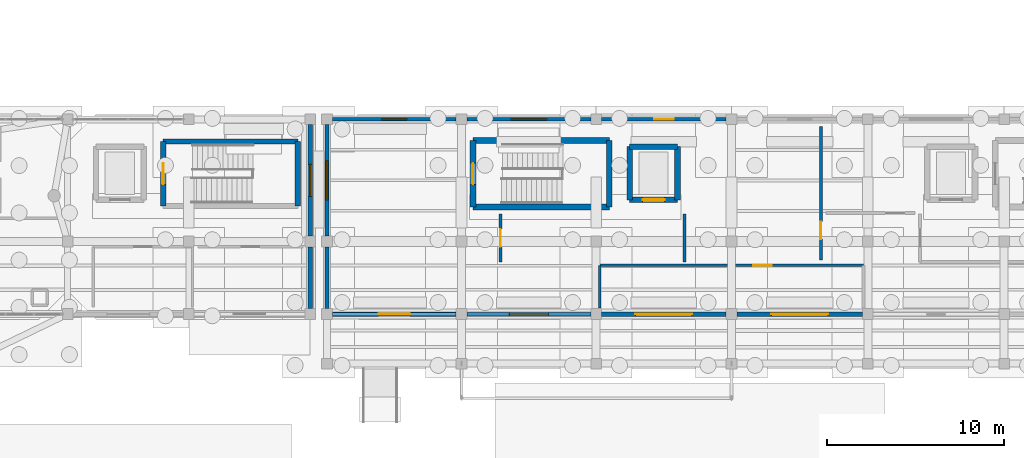
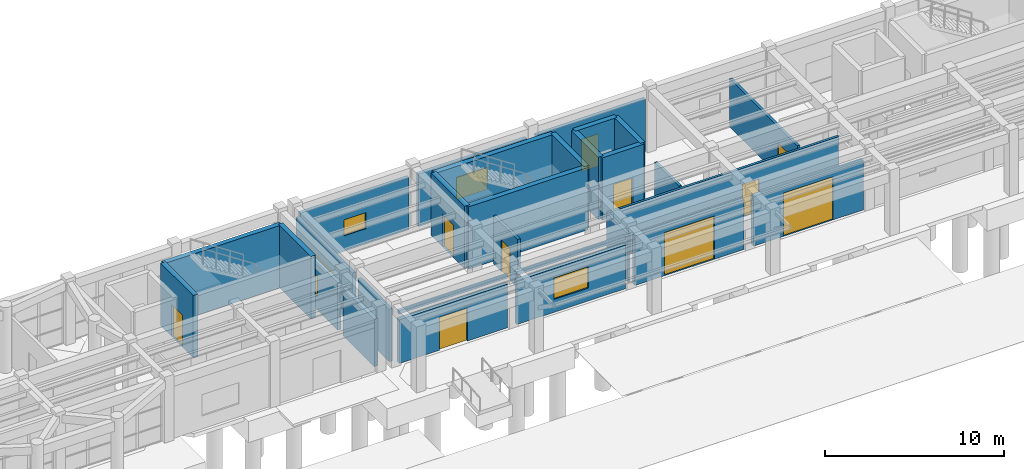
# One storey, part 30 of 41: 29 walls, 10 doors, 5 windows, 15 openings.
"""IFC4 building model written with IfcOpenShell, lengths in metres."""

from ifc_helpers import new_model, si_unit, direction, frame, frame_2d, origin, place, context, subcontext, project, spatial, rectangle, extrude, material, layer, layer_set, type_object, element, fill, save


model = new_model("IFC4")

# Units and contexts
model_context = context("Model", 3, precision=1e-05, world=origin(), true_north=direction((0.0, 1.0)))
body_context = subcontext(model_context, "Body", "Model", "MODEL_VIEW")
ifc_project = project(units=[si_unit("LENGTHUNIT", "METRE"), si_unit("AREAUNIT", "SQUARE_METRE"), si_unit("VOLUMEUNIT", "CUBIC_METRE"), si_unit("PLANEANGLEUNIT", "RADIAN"), si_unit("MASSUNIT", "GRAM", prefix="KILO")], contexts=[model_context])

# Site, building, storey
site_placement = place(None, origin())
site = spatial("IfcSite", under=ifc_project, at=site_placement, CompositionType="ELEMENT")
building_placement = place(site_placement, origin())
building = spatial("IfcBuilding", under=site, at=building_placement, Name="Candilejo Ridge Gondola Terminal", CompositionType="ELEMENT")
storey_placement = place(building_placement, origin())
storey = spatial("IfcBuildingStorey", under=building, at=storey_placement, Name="L00", CompositionType="ELEMENT", Elevation=0.0)

# Walls
ifc_material_1 = material(Name="Concrete C20/25 masonry blockwork (f'm 14 MPa)", Category="masonry")
ifc_layer_1 = layer(ifc_material_1, 0.195068359375)
ifc_layer_set_1 = layer_set([ifc_layer_1], Name="ARC-EXT-WALL-195")
wall_type_1 = type_object("IfcWallType", Name="ARC-EXT-WALL-195", PredefinedType="STANDARD", material=ifc_layer_set_1)
for number, where, z_axis, x_axis, name in (
    (1, (94.300048828125, 25.699951171875, 3.35009765625), (0.0, 0.0, 1.0), (-1.0, 0.0, 0.0), "Upper lintel spandrel wall V3 L00-051"),
    (2, (101.89990234375, 25.699951171875, 3.35009765625), (0.0, 0.0, 1.0), (-1.0, 0.0, 0.0), "Upper lintel spandrel wall V3 L00-055"),
):
    element("IfcWall", number, at=place(storey_placement, frame(where, z_axis=z_axis, x_axis=x_axis)), inside=storey, type_object=wall_type_1, Name=name, PredefinedType="STANDARD", context=body_context, shape_type="SweptSolid", body=[
        extrude(rectangle(XDim=7.0, YDim=0.195068359375, at=frame_2d((3.5, 0.0))), origin(), (0.0, 0.0, 1.0), 0.22998046875),
    ])

# Wall, opening, window
ifc_material_2 = material(Name="Concrete C20/25 masonry blockwork (f'm 14 MPa)", Category="masonry")
ifc_layer_2 = layer(ifc_material_2, 0.219970703125)
ifc_layer_set_2 = layer_set([ifc_layer_2], Name="ARC-EXT-WALL-220")
wall_type_2 = type_object("IfcWallType", Name="ARC-EXT-WALL-220", PredefinedType="STANDARD", material=ifc_layer_set_2)
wall_1_placement = place(storey_placement, frame((87.300048828125, 36.699951171875, 0.0), z_axis=(0.0, 0.0, 1.0), x_axis=(1.0, 0.0, 0.0)))
wall_1 = element("IfcWall", 3, at=wall_1_placement, inside=storey, type_object=wall_type_2, Name="Exterior facade wall EW-V3-L00-052", PredefinedType="STANDARD", context=body_context, shape_type="SweptSolid", body=[
    extrude(rectangle(XDim=7.0, YDim=0.219970703125, at=frame_2d((3.5, 0.0))), origin(), (0.0, 0.0, 1.0), 3.580078125),
])
opening_1_placement = place(wall_1_placement, frame((2.800048828125, 0.0, 1.050048828125)))
opening_1 = element("IfcOpeningElement", 4, at=opening_1_placement, cuts=wall_1, Name="Opening WN-05E", PredefinedType="OPENING", context=body_context, shape_type="SweptSolid", body=[
    extrude(rectangle(XDim=1.39990234375, YDim=1.10009765625, at=frame_2d((0.699951171875, 0.550048828125))), frame((0.0, 0.119873046875, 0.0), z_axis=(0.0, -1.0, 0.0), x_axis=(1.0, 0.0, 0.0)), (0.0, 0.0, 1.0), 0.239990234375),
])
ifc_material_3 = material(Name="Low-E laminated double glazing 6+12A+6+1.52PVB+6 mm", Category="glass")
window_type_1 = type_object("IfcWindowType", Name="ARC-WIN-1400X1100", PartitioningType="SINGLE_PANEL", PredefinedType="WINDOW", material=ifc_material_3)
window_1_placement = place(opening_1_placement, origin())
window_1 = element("IfcWindow", 5, at=window_1_placement, inside=storey, type_object=window_type_1, Name="Window WIN-023", OverallHeight=1.10009765625, OverallWidth=1.39990234375, PartitioningType="SINGLE_PANEL", PredefinedType="WINDOW", context=body_context, shape_type="SweptSolid", body=[
    extrude(rectangle(XDim=1.39990234375, YDim=1.10009765625, at=frame_2d((0.699951171875, 0.550048828125))), frame((0.0, 0.030029296875, 0.0), z_axis=(0.0, -1.0, 0.0), x_axis=(1.0, 0.0, 0.0)), (0.0, 0.0, 1.0), 0.06005859375),
])
fill(opening_1, window_1)

wall_2_placement = place(storey_placement, frame((94.89990234375, 36.699951171875, 0.0), z_axis=(0.0, 0.0, 1.0), x_axis=(1.0, 0.0, 0.0)))
wall_2 = element("IfcWall", 6, at=wall_2_placement, inside=storey, type_object=wall_type_2, Name="Exterior facade wall EW-V3-L00-056", PredefinedType="STANDARD", context=body_context, shape_type="SweptSolid", body=[
    extrude(rectangle(XDim=7.0, YDim=0.219970703125, at=frame_2d((3.5, 0.0))), origin(), (0.0, 0.0, 1.0), 3.580078125),
])
opening_2_placement = place(wall_2_placement, frame((2.5, 0.0, 0.919921875)))
opening_2 = element("IfcOpeningElement", 7, at=opening_2_placement, cuts=wall_2, Name="Opening WN-01C", PredefinedType="OPENING", context=body_context, shape_type="SweptSolid", body=[
    extrude(rectangle(XDim=2.0, YDim=1.5, at=frame_2d((1.0, 0.75))), frame((0.0, 0.119873046875, 0.0), z_axis=(0.0, -1.0, 0.0), x_axis=(1.0, 0.0, 0.0)), (0.0, 0.0, 1.0), 0.239990234375),
])
ifc_material_4 = material(Name="Low-E laminated double glazing 6+12A+6+1.52PVB+6 mm", Category="glass")
window_type_2 = type_object("IfcWindowType", Name="ARC-WIN-2000X1500", PartitioningType="SINGLE_PANEL", PredefinedType="WINDOW", material=ifc_material_4)
window_2_placement = place(opening_2_placement, origin())
window_2 = element("IfcWindow", 8, at=window_2_placement, inside=storey, type_object=window_type_2, Name="Window WIN-026", OverallHeight=1.5, OverallWidth=2.0, PartitioningType="SINGLE_PANEL", PredefinedType="WINDOW", context=body_context, shape_type="SweptSolid", body=[
    extrude(rectangle(XDim=2.0, YDim=1.5, at=frame_2d((1.0, 0.75))), frame((0.0, 0.030029296875, 0.0), z_axis=(0.0, -1.0, 0.0), x_axis=(1.0, 0.0, 0.0)), (0.0, 0.0, 1.0), 0.06005859375),
])
fill(opening_2, window_2)

# Wall, opening, door
wall_3_placement = place(storey_placement, frame((102.5, 36.699951171875, 0.0), z_axis=(0.0, 0.0, 1.0), x_axis=(1.0, 0.0, 0.0)))
wall_3 = element("IfcWall", 9, at=wall_3_placement, inside=storey, type_object=wall_type_2, Name="Exterior facade wall EW-V3-L00-059", PredefinedType="STANDARD", context=body_context, shape_type="SweptSolid", body=[
    extrude(rectangle(XDim=7.050048828125, YDim=0.219970703125, at=frame_2d((3.52490234375, 0.0))), origin(), (0.0, 0.0, 1.0), 3.580078125),
])
opening_3_placement = place(wall_3_placement, frame((2.97509765625, 0.0, 0.0)))
opening_3 = element("IfcOpeningElement", 10, at=opening_3_placement, cuts=wall_3, Name="Opening ED-03", PredefinedType="OPENING", context=body_context, shape_type="SweptSolid", body=[
    extrude(rectangle(XDim=1.10009765625, YDim=2.199951171875, at=frame_2d((0.550048828125, 1.10009765625))), frame((0.0, 0.119873046875, 0.0), z_axis=(0.0, -1.0, 0.0), x_axis=(1.0, 0.0, 0.0)), (0.0, 0.0, 1.0), 0.239990234375),
])
ifc_material_5 = material(Name="Anodised aluminium AA 6063-T6", Category="aluminium")
door_type_1 = type_object("IfcDoorType", Name="ARC-DOOR-EXT-SGL-1100", OperationType="NOTDEFINED", PredefinedType="DOOR", material=ifc_material_5)
door_1_placement = place(opening_3_placement, origin())
door_1 = element("IfcDoor", 11, at=door_1_placement, inside=storey, type_object=door_type_1, Name="Exterior door EDR-009", OperationType="SINGLE_SWING_LEFT", OverallHeight=2.199951171875, OverallWidth=1.10009765625, PredefinedType="DOOR", context=body_context, shape_type="SweptSolid", body=[
    extrude(rectangle(XDim=1.10009765625, YDim=2.199951171875, at=frame_2d((0.550048828125, 1.10009765625))), frame((0.0, 0.02490234375, 0.0), z_axis=(0.0, -1.0, 0.0), x_axis=(1.0, 0.0, 0.0)), (0.0, 0.0, 1.0), 0.050048828125),
])
fill(opening_3, door_1)

# Wall
wall_4_placement = place(storey_placement, frame((87.0, 26.0, 0.0), z_axis=(0.0, 0.0, 1.0), x_axis=(0.0, 1.0, 0.0)))
element("IfcWall", 12, at=wall_4_placement, inside=storey, type_object=wall_type_2, Name="Exterior facade wall EW-V3-L00-071", PredefinedType="STANDARD", context=body_context, shape_type="SweptSolid", body=[
    extrude(rectangle(XDim=3.5, YDim=0.219970703125, at=frame_2d((1.75, 0.0))), origin(), (0.0, 0.0, 1.0), 3.580078125),
])

# Wall, opening, window
wall_5_placement = place(storey_placement, frame((87.0, 30.10009765625, 0.0), z_axis=(0.0, 0.0, 1.0), x_axis=(0.0, 1.0, 0.0)))
wall_5 = element("IfcWall", 13, at=wall_5_placement, inside=storey, type_object=wall_type_2, Name="Exterior facade wall EW-V3-L00-073", PredefinedType="STANDARD", context=body_context, shape_type="SweptSolid", body=[
    extrude(rectangle(XDim=6.2998046875, YDim=0.219970703125, at=frame_2d((3.14990234375, 0.0))), origin(), (0.0, 0.0, 1.0), 3.580078125),
])
opening_4_placement = place(wall_5_placement, frame((2.050048828125, 0.0, 0.8798828125)))
opening_4 = element("IfcOpeningElement", 14, at=opening_4_placement, cuts=wall_5, Name="Opening WN-01B", PredefinedType="OPENING", context=body_context, shape_type="SweptSolid", body=[
    extrude(rectangle(XDim=2.199951171875, YDim=1.449951171875, at=frame_2d((1.10009765625, 0.72509765625))), frame((0.0, 0.119873046875, 0.0), z_axis=(0.0, -1.0, 0.0), x_axis=(1.0, 0.0, 0.0)), (0.0, 0.0, 1.0), 0.239990234375),
])
ifc_material_6 = material(Name="Low-E laminated double glazing 6+12A+6+1.52PVB+6 mm", Category="glass")
window_type_3 = type_object("IfcWindowType", Name="ARC-WIN-2200X1550", PartitioningType="SINGLE_PANEL", PredefinedType="WINDOW", material=ifc_material_6)
window_3_placement = place(opening_4_placement, origin())
window_3 = element("IfcWindow", 15, at=window_3_placement, inside=storey, type_object=window_type_3, Name="Window WIN-033", OverallHeight=1.449951171875, OverallWidth=2.199951171875, PartitioningType="SINGLE_PANEL", PredefinedType="WINDOW", context=body_context, shape_type="SweptSolid", body=[
    extrude(rectangle(XDim=2.199951171875, YDim=1.449951171875, at=frame_2d((1.10009765625, 0.72509765625))), frame((0.0, 0.030029296875, 0.0), z_axis=(0.0, -1.0, 0.0), x_axis=(1.0, 0.0, 0.0)), (0.0, 0.0, 1.0), 0.06005859375),
])
fill(opening_4, window_3)

# Wall
ifc_material_7 = material(Name="Concrete C20/25 masonry blockwork (f'm 14 MPa)", Category="masonry")
ifc_layer_3 = layer(ifc_material_7, 0.235107421875)
ifc_layer_set_3 = layer_set([ifc_layer_3], Name="ARC-EXT-WALL-235")
wall_type_3 = type_object("IfcWallType", Name="ARC-EXT-WALL-235", PredefinedType="STANDARD", material=ifc_layer_set_3)
wall_6_placement = place(storey_placement, frame((86.050048828125, 29.5, 0.0), z_axis=(0.0, 0.0, 1.0), x_axis=(0.0, -1.0, 0.0)))
element("IfcWall", 16, at=wall_6_placement, inside=storey, type_object=wall_type_3, Name="Exterior facade wall EW-V2-L00-038", PredefinedType="STANDARD", context=body_context, shape_type="SweptSolid", body=[
    extrude(rectangle(XDim=3.5, YDim=0.235107421875, at=frame_2d((1.75, 0.0))), origin(), (0.0, 0.0, 1.0), 3.239990234375),
])

# Wall, opening, window
wall_7_placement = place(storey_placement, frame((86.050048828125, 36.39990234375, 0.0), z_axis=(0.0, 0.0, 1.0), x_axis=(0.0, -1.0, 0.0)))
wall_7 = element("IfcWall", 17, at=wall_7_placement, inside=storey, type_object=wall_type_3, Name="Exterior facade wall EW-V2-L00-040", PredefinedType="STANDARD", context=body_context, shape_type="SweptSolid", body=[
    extrude(rectangle(XDim=6.2998046875, YDim=0.235107421875, at=frame_2d((3.14990234375, 0.0))), origin(), (0.0, 0.0, 1.0), 3.239990234375),
])
opening_5_placement = place(wall_7_placement, frame((2.25, 0.0, 0.949951171875)))
opening_5 = element("IfcOpeningElement", 18, at=opening_5_placement, cuts=wall_7, Name="Opening WN-02B", PredefinedType="OPENING", context=body_context, shape_type="SweptSolid", body=[
    extrude(rectangle(XDim=1.800048828125, YDim=1.39990234375, at=frame_2d((0.89990234375, 0.699951171875))), frame((0.0, 0.12744140625, 0.0), z_axis=(0.0, -1.0, 0.0), x_axis=(1.0, 0.0, 0.0)), (0.0, 0.0, 1.0), 0.255126953125),
])
ifc_material_8 = material(Name="Low-E laminated double glazing 6+12A+6+1.52PVB+6 mm", Category="glass")
window_type_4 = type_object("IfcWindowType", Name="ARC-WIN-1800X1400", PartitioningType="SINGLE_PANEL", PredefinedType="WINDOW", material=ifc_material_8)
window_4_placement = place(opening_5_placement, origin())
window_4 = element("IfcWindow", 19, at=window_4_placement, inside=storey, type_object=window_type_4, Name="Window WIN-016", OverallHeight=1.39990234375, OverallWidth=1.800048828125, PartitioningType="SINGLE_PANEL", PredefinedType="WINDOW", context=body_context, shape_type="SweptSolid", body=[
    extrude(rectangle(XDim=1.800048828125, YDim=1.39990234375, at=frame_2d((0.89990234375, 0.699951171875))), frame((0.0, 0.030029296875, 0.0), z_axis=(0.0, -1.0, 0.0), x_axis=(1.0, 0.0, 0.0)), (0.0, 0.0, 1.0), 0.06005859375),
])
fill(opening_5, window_4)

# Wall, opening, door
ifc_material_9 = material(Name="Cream Guayaquil limestone ashlar masonry (f'm 14 MPa)", Category="masonry")
ifc_layer_4 = layer(ifc_material_9, 0.25)
ifc_layer_set_4 = layer_set([ifc_layer_4], Name="ARC-EXT-WALL-250")
wall_type_4 = type_object("IfcWallType", Name="ARC-EXT-WALL-250", PredefinedType="STANDARD", material=ifc_layer_set_4)
wall_8_placement = place(storey_placement, frame((94.300048828125, 25.699951171875, 0.0), z_axis=(0.0, 0.0, 1.0), x_axis=(-1.0, 0.0, 0.0)))
wall_8 = element("IfcWall", 20, at=wall_8_placement, inside=storey, type_object=wall_type_4, Name="Exterior facade wall EW-V3-L00-050", PredefinedType="STANDARD", context=body_context, shape_type="SweptSolid", body=[
    extrude(rectangle(XDim=7.0, YDim=0.25, at=frame_2d((3.5, 0.0))), origin(), (0.0, 0.0, 1.0), 2.985107421875),
])
opening_6_placement = place(wall_8_placement, frame((2.60009765625, 0.0, 0.0)))
opening_6 = element("IfcOpeningElement", 21, at=opening_6_placement, cuts=wall_8, Name="Opening ED-02", PredefinedType="OPENING", context=body_context, shape_type="SweptSolid", body=[
    extrude(rectangle(XDim=1.800048828125, YDim=2.25, at=frame_2d((0.89990234375, 1.125))), frame((0.0, 0.135009765625, 0.0), z_axis=(0.0, -1.0, 0.0), x_axis=(1.0, 0.0, 0.0)), (0.0, 0.0, 1.0), 0.27001953125),
])
ifc_material_10 = material(Name="Anodised aluminium AA 6063-T6", Category="aluminium")
door_type_2 = type_object("IfcDoorType", Name="ARC-DOOR-EXT-DBL-1800", OperationType="NOTDEFINED", PredefinedType="DOOR", material=ifc_material_10)
door_2_placement = place(opening_6_placement, origin())
door_2 = element("IfcDoor", 22, at=door_2_placement, inside=storey, type_object=door_type_2, Name="Exterior door EDR-006", OperationType="DOUBLE_DOOR_SINGLE_SWING", OverallHeight=2.25, OverallWidth=1.800048828125, PredefinedType="DOOR", context=body_context, shape_type="SweptSolid", body=[
    extrude(rectangle(XDim=1.800048828125, YDim=2.25, at=frame_2d((0.89990234375, 1.125))), frame((0.0, 0.02490234375, 0.0), z_axis=(0.0, -1.0, 0.0), x_axis=(1.0, 0.0, 0.0)), (0.0, 0.0, 1.0), 0.050048828125),
])
fill(opening_6, door_2)

# Wall, opening, window
wall_9_placement = place(storey_placement, frame((101.89990234375, 25.699951171875, 0.0), z_axis=(0.0, 0.0, 1.0), x_axis=(-1.0, 0.0, 0.0)))
wall_9 = element("IfcWall", 23, at=wall_9_placement, inside=storey, type_object=wall_type_4, Name="Exterior facade wall EW-V3-L00-054", PredefinedType="STANDARD", context=body_context, shape_type="SweptSolid", body=[
    extrude(rectangle(XDim=7.0, YDim=0.25, at=frame_2d((3.5, 0.0))), origin(), (0.0, 0.0, 1.0), 2.985107421875),
])
opening_7_placement = place(wall_9_placement, frame((2.39990234375, 0.0, 0.8798828125)))
opening_7 = element("IfcOpeningElement", 24, at=opening_7_placement, cuts=wall_9, Name="Opening WN-01B", PredefinedType="OPENING", context=body_context, shape_type="SweptSolid", body=[
    extrude(rectangle(XDim=2.199951171875, YDim=1.449951171875, at=frame_2d((1.10009765625, 0.72509765625))), frame((0.0, 0.135009765625, 0.0), z_axis=(0.0, -1.0, 0.0), x_axis=(1.0, 0.0, 0.0)), (0.0, 0.0, 1.0), 0.27001953125),
])
window_5_placement = place(opening_7_placement, origin())
window_5 = element("IfcWindow", 25, at=window_5_placement, inside=storey, type_object=window_type_3, Name="Window WIN-025", OverallHeight=1.449951171875, OverallWidth=2.199951171875, PartitioningType="SINGLE_PANEL", PredefinedType="WINDOW", context=body_context, shape_type="SweptSolid", body=[
    extrude(rectangle(XDim=2.199951171875, YDim=1.449951171875, at=frame_2d((1.10009765625, 0.72509765625))), frame((0.0, 0.030029296875, 0.0), z_axis=(0.0, -1.0, 0.0), x_axis=(1.0, 0.0, 0.0)), (0.0, 0.0, 1.0), 0.06005859375),
])
fill(opening_7, window_5)

# Wall, opening, door
wall_10_placement = place(storey_placement, frame((109.550048828125, 25.699951171875, 0.0), z_axis=(0.0, 0.0, 1.0), x_axis=(-1.0, 0.0, 0.0)))
wall_10 = element("IfcWall", 26, at=wall_10_placement, inside=storey, type_object=wall_type_4, Name="Exterior facade wall EW-V3-L00-058", PredefinedType="STANDARD", context=body_context, shape_type="SweptSolid", body=[
    extrude(rectangle(XDim=7.050048828125, YDim=0.25, at=frame_2d((3.52490234375, 0.0))), origin(), (0.0, 0.0, 1.0), 3.389892578125),
])
opening_8_placement = place(wall_10_placement, frame((1.925048828125, 0.0, 0.0)))
opening_8 = element("IfcOpeningElement", 27, at=opening_8_placement, cuts=wall_10, Name="Opening GT-01", PredefinedType="OPENING", context=body_context, shape_type="SweptSolid", body=[
    extrude(rectangle(XDim=3.199951171875, YDim=2.949951171875, at=frame_2d((1.60009765625, 1.47509765625))), frame((0.0, 0.135009765625, 0.0), z_axis=(0.0, -1.0, 0.0), x_axis=(1.0, 0.0, 0.0)), (0.0, 0.0, 1.0), 0.27001953125),
])
ifc_material_11 = material(Name="Anodised aluminium AA 6063-T6", Category="aluminium")
door_type_3 = type_object("IfcDoorType", Name="ARC-GATE-ROLL-3200", OperationType="NOTDEFINED", PredefinedType="GATE", material=ifc_material_11)
door_3_placement = place(opening_8_placement, origin())
door_3 = element("IfcDoor", 28, at=door_3_placement, inside=storey, type_object=door_type_3, Name="Exterior door EDR-008", OperationType="ROLLINGUP", OverallHeight=2.949951171875, OverallWidth=3.199951171875, PredefinedType="GATE", context=body_context, shape_type="SweptSolid", body=[
    extrude(rectangle(XDim=3.199951171875, YDim=2.949951171875, at=frame_2d((1.60009765625, 1.47509765625))), frame((0.0, 0.02490234375, 0.0), z_axis=(0.0, -1.0, 0.0), x_axis=(1.0, 0.0, 0.0)), (0.0, 0.0, 1.0), 0.050048828125),
])
fill(opening_8, door_3)

wall_11_placement = place(storey_placement, frame((117.25, 25.699951171875, 0.0), z_axis=(0.0, 0.0, 1.0), x_axis=(-1.0, 0.0, 0.0)))
wall_11 = element("IfcWall", 29, at=wall_11_placement, inside=storey, type_object=wall_type_4, Name="Exterior facade wall EW-V3-L00-061", PredefinedType="STANDARD", context=body_context, shape_type="SweptSolid", body=[
    extrude(rectangle(XDim=7.10009765625, YDim=0.25, at=frame_2d((3.550048828125, 0.0))), origin(), (0.0, 0.0, 1.0), 3.389892578125),
])
opening_9_placement = place(wall_11_placement, frame((1.949951171875, 0.0, 0.0)))
opening_9 = element("IfcOpeningElement", 30, at=opening_9_placement, cuts=wall_11, Name="Opening GT-01", PredefinedType="OPENING", context=body_context, shape_type="SweptSolid", body=[
    extrude(rectangle(XDim=3.199951171875, YDim=2.949951171875, at=frame_2d((1.60009765625, 1.47509765625))), frame((0.0, 0.135009765625, 0.0), z_axis=(0.0, -1.0, 0.0), x_axis=(1.0, 0.0, 0.0)), (0.0, 0.0, 1.0), 0.27001953125),
])
door_4_placement = place(opening_9_placement, origin())
door_4 = element("IfcDoor", 31, at=door_4_placement, inside=storey, type_object=door_type_3, Name="Exterior door EDR-010", OperationType="ROLLINGUP", OverallHeight=2.949951171875, OverallWidth=3.199951171875, PredefinedType="GATE", context=body_context, shape_type="SweptSolid", body=[
    extrude(rectangle(XDim=3.199951171875, YDim=2.949951171875, at=frame_2d((1.60009765625, 1.47509765625))), frame((0.0, 0.02490234375, 0.0), z_axis=(0.0, -1.0, 0.0), x_axis=(1.0, 0.0, 0.0)), (0.0, 0.0, 1.0), 0.050048828125),
])
fill(opening_9, door_4)

ifc_material_12 = material(Name="Gypsum board Type X acoustic partition (2x15.9 mm)", Category="gypsum")
ifc_layer_5 = layer(ifc_material_12, 0.14990234375)
ifc_layer_set_5 = layer_set([ifc_layer_5], Name="ARC-PART-GYP150-EI60")
wall_type_5 = type_object("IfcWallType", Name="ARC-PART-GYP150-EI60", PredefinedType="PARTITIONING", material=ifc_layer_set_5)
wall_12_placement = place(storey_placement, frame((102.39990234375, 28.449951171875, 0.0), z_axis=(0.0, 0.0, 1.0), x_axis=(1.0, 0.0, 0.0)))
wall_12 = element("IfcWall", 32, at=wall_12_placement, inside=storey, type_object=wall_type_5, Name="Interior partition PT-V3-L00-0019", PredefinedType="PARTITIONING", context=body_context, shape_type="SweptSolid", body=[
    extrude(rectangle(XDim=14.900146484375, YDim=0.14990234375, at=frame_2d((7.4501953125, 0.0))), origin(), (0.0, 0.0, 1.0), 3.300048828125),
])
opening_10_placement = place(wall_12_placement, frame((8.675048828125, 0.0, 0.0)))
opening_10 = element("IfcOpeningElement", 33, at=opening_10_placement, cuts=wall_12, Name="Opening ID-01A", PredefinedType="OPENING", context=body_context, shape_type="SweptSolid", body=[
    extrude(rectangle(XDim=1.050048828125, YDim=2.199951171875, at=frame_2d((0.52490234375, 1.10009765625))), frame((0.0, 0.0849609375, 0.0), z_axis=(0.0, -1.0, 0.0), x_axis=(1.0, 0.0, 0.0)), (0.0, 0.0, 1.0), 0.169921875),
])
ifc_material_13 = material(Name="Solid-core fire-rated hardwood door leaf", Category="wood")
door_type_4 = type_object("IfcDoorType", Name="ARC-DOOR-INT-1050", OperationType="NOTDEFINED", PredefinedType="DOOR", material=ifc_material_13)
door_5_placement = place(opening_10_placement, origin())
door_5 = element("IfcDoor", 34, at=door_5_placement, inside=storey, type_object=door_type_4, Name="Interior door IDR-0011 (026)", OperationType="SINGLE_SWING_LEFT", OverallHeight=2.199951171875, OverallWidth=1.050048828125, PredefinedType="DOOR", context=body_context, shape_type="SweptSolid", body=[
    extrude(rectangle(XDim=1.050048828125, YDim=2.199951171875, at=frame_2d((0.52490234375, 1.10009765625))), frame((0.0, 0.02490234375, 0.0), z_axis=(0.0, -1.0, 0.0), x_axis=(1.0, 0.0, 0.0)), (0.0, 0.0, 1.0), 0.050048828125),
])
fill(opening_10, door_5)

# Wall
wall_13_placement = place(storey_placement, frame((102.39990234375, 26.050048828125, 0.0), z_axis=(0.0, 0.0, 1.0), x_axis=(0.0, 1.0, 0.0)))
element("IfcWall", 35, at=wall_13_placement, inside=storey, type_object=wall_type_5, Name="Interior partition PT-V3-L00-0020", PredefinedType="PARTITIONING", context=body_context, shape_type="SweptSolid", body=[
    extrude(rectangle(XDim=2.39990234375, YDim=0.14990234375, at=frame_2d((1.199951171875, 0.0))), origin(), (0.0, 0.0, 1.0), 3.300048828125),
])

# Wall, opening, door
ifc_material_14 = material(Name="Concrete C20/25 masonry blockwork (f'm 14 MPa)", Category="masonry")
ifc_layer_6 = layer(ifc_material_14, 0.169921875)
ifc_layer_set_6 = layer_set([ifc_layer_6], Name="ARC-WALL-CMU170-EI90")
wall_type_6 = type_object("IfcWallType", Name="ARC-WALL-CMU170-EI90", PredefinedType="SOLIDWALL", material=ifc_layer_set_6)
wall_14_placement = place(storey_placement, frame((96.800048828125, 28.64990234375, 0.0), z_axis=(0.0, 0.0, 1.0), x_axis=(0.0, 1.0, 0.0)))
wall_14 = element("IfcWall", 36, at=wall_14_placement, inside=storey, type_object=wall_type_6, Name="Interior partition PT-V3-L00-0022", PredefinedType="SOLIDWALL", context=body_context, shape_type="SweptSolid", body=[
    extrude(rectangle(XDim=2.7001953125, YDim=0.169921875, at=frame_2d((1.35009765625, 0.0))), origin(), (0.0, 0.0, 1.0), 3.300048828125),
])
opening_11_placement = place(wall_14_placement, frame((0.85009765625, 0.0, 0.0)))
opening_11 = element("IfcOpeningElement", 37, at=opening_11_placement, cuts=wall_14, Name="Opening FD-02", PredefinedType="OPENING", context=body_context, shape_type="SweptSolid", body=[
    extrude(rectangle(XDim=1.0, YDim=2.14990234375, at=frame_2d((0.5, 1.074951171875))), frame((0.0, 0.094970703125, 0.0), z_axis=(0.0, -1.0, 0.0), x_axis=(1.0, 0.0, 0.0)), (0.0, 0.0, 1.0), 0.18994140625),
])
ifc_material_15 = material(Name="Steel ASTM A653 Grade 33 hollow-metal door", Category="steel")
door_type_5 = type_object("IfcDoorType", Name="ARC-DOOR-FD60-1000", OperationType="NOTDEFINED", PredefinedType="DOOR", material=ifc_material_15)
door_6_placement = place(opening_11_placement, origin())
door_6 = element("IfcDoor", 38, at=door_6_placement, inside=storey, type_object=door_type_5, Name="Interior door IDR-0012 (017)", OperationType="SINGLE_SWING_RIGHT", OverallHeight=2.14990234375, OverallWidth=1.0, PredefinedType="DOOR", context=body_context, shape_type="SweptSolid", body=[
    extrude(rectangle(XDim=1.0, YDim=2.14990234375, at=frame_2d((0.5, 1.074951171875))), frame((0.0, 0.02490234375, 0.0), z_axis=(0.0, -1.0, 0.0), x_axis=(1.0, 0.0, 0.0)), (0.0, 0.0, 1.0), 0.050048828125),
])
fill(opening_11, door_6)

# Wall
wall_15_placement = place(storey_placement, frame((107.199951171875, 28.64990234375, 0.0), z_axis=(0.0, 0.0, 1.0), x_axis=(0.0, 1.0, 0.0)))
element("IfcWall", 39, at=wall_15_placement, inside=storey, type_object=wall_type_6, Name="Interior partition PT-V3-L00-0023", PredefinedType="SOLIDWALL", context=body_context, shape_type="SweptSolid", body=[
    extrude(rectangle(XDim=2.7001953125, YDim=0.169921875, at=frame_2d((1.35009765625, 0.0))), origin(), (0.0, 0.0, 1.0), 3.300048828125),
])

# Wall, opening, door
wall_16_placement = place(storey_placement, frame((114.89990234375, 28.75, 0.0), z_axis=(0.0, 0.0, 1.0), x_axis=(0.0, 1.0, 0.0)))
wall_16 = element("IfcWall", 40, at=wall_16_placement, inside=storey, type_object=wall_type_6, Name="Interior partition PT-V3-L00-0024", PredefinedType="SOLIDWALL", context=body_context, shape_type="SweptSolid", body=[
    extrude(rectangle(XDim=7.550048828125, YDim=0.169921875, at=frame_2d((3.77490234375, 0.0))), origin(), (0.0, 0.0, 1.0), 3.300048828125),
])
opening_12_placement = place(wall_16_placement, frame((1.175048828125, 0.0, 0.0)))
opening_12 = element("IfcOpeningElement", 41, at=opening_12_placement, cuts=wall_16, Name="Opening FD-02", PredefinedType="OPENING", context=body_context, shape_type="SweptSolid", body=[
    extrude(rectangle(XDim=1.0, YDim=2.14990234375, at=frame_2d((0.5, 1.074951171875))), frame((0.0, 0.094970703125, 0.0), z_axis=(0.0, -1.0, 0.0), x_axis=(1.0, 0.0, 0.0)), (0.0, 0.0, 1.0), 0.18994140625),
])
door_7_placement = place(opening_12_placement, origin())
door_7 = element("IfcDoor", 42, at=door_7_placement, inside=storey, type_object=door_type_5, Name="Interior door IDR-0013 (018)", OperationType="SINGLE_SWING_LEFT", OverallHeight=2.14990234375, OverallWidth=1.0, PredefinedType="DOOR", context=body_context, shape_type="SweptSolid", body=[
    extrude(rectangle(XDim=1.0, YDim=2.14990234375, at=frame_2d((0.5, 1.074951171875))), frame((0.0, 0.02490234375, 0.0), z_axis=(0.0, -1.0, 0.0), x_axis=(1.0, 0.0, 0.0)), (0.0, 0.0, 1.0), 0.050048828125),
])
fill(opening_12, door_7)

# Wall
ifc_material_16 = material(Name="Concrete f'c 35 MPa (C35/45)", Category="concrete")
ifc_layer_7 = layer(ifc_material_16, 0.300048828125)
ifc_layer_set_7 = layer_set([ifc_layer_7], Name="STR-CORE-WALL-300")
wall_type_7 = type_object("IfcWallType", Name="STR-CORE-WALL-300", PredefinedType="SHEAR", material=ifc_layer_set_7)
wall_17_placement = place(storey_placement, frame((77.75, 35.449951171875, 0.0), z_axis=(0.0, 0.0, 1.0), x_axis=(1.0, 0.0, 0.0)))
element("IfcWall", 43, at=wall_17_placement, inside=storey, type_object=wall_type_7, Name="Core stair shear wall SW-C-V2B-L00-ST-N", PredefinedType="SHEAR", context=body_context, shape_type="SweptSolid", body=[
    extrude(rectangle(XDim=7.60009765625, YDim=0.300048828125, at=frame_2d((3.800048828125, 0.0))), origin(), (0.0, 0.0, 1.0), 4.260009765625),
])

# Wall, opening, door
wall_18_placement = place(storey_placement, frame((77.75, 31.800048828125, 0.0), z_axis=(0.0, 0.0, 1.0), x_axis=(0.0, 1.0, 0.0)))
wall_18 = element("IfcWall", 44, at=wall_18_placement, inside=storey, type_object=wall_type_7, Name="Core stair shear wall SW-C-V2B-L00-ST-W", PredefinedType="SHEAR", context=body_context, shape_type="SweptSolid", body=[
    extrude(rectangle(XDim=3.64990234375, YDim=0.300048828125, at=frame_2d((1.824951171875, 0.0))), origin(), (0.0, 0.0, 1.0), 4.260009765625),
])
opening_13_placement = place(wall_18_placement, frame((1.22509765625, 0.0, 0.0)))
opening_13 = element("IfcOpeningElement", 45, at=opening_13_placement, cuts=wall_18, Name="Opening FD-01", PredefinedType="OPENING", context=body_context, shape_type="SweptSolid", body=[
    extrude(rectangle(XDim=1.199951171875, YDim=2.199951171875, at=frame_2d((0.60009765625, 1.10009765625))), frame((0.0, 0.159912109375, 0.0), z_axis=(0.0, -1.0, 0.0), x_axis=(1.0, 0.0, 0.0)), (0.0, 0.0, 1.0), 0.320068359375),
])
ifc_material_17 = material(Name="Steel ASTM A653 Grade 33 hollow-metal door", Category="steel")
door_type_6 = type_object("IfcDoorType", Name="ARC-DOOR-FD90-1200", OperationType="NOTDEFINED", PredefinedType="DOOR", material=ifc_material_17)
door_8_placement = place(opening_13_placement, origin())
door_8 = element("IfcDoor", 46, at=door_8_placement, inside=storey, type_object=door_type_6, Name="Fire stair door SDR-011", OperationType="SINGLE_SWING_LEFT", OverallHeight=2.199951171875, OverallWidth=1.199951171875, PredefinedType="DOOR", context=body_context, shape_type="SweptSolid", body=[
    extrude(rectangle(XDim=1.199951171875, YDim=2.199951171875, at=frame_2d((0.60009765625, 1.10009765625))), frame((0.0, 0.02490234375, 0.0), z_axis=(0.0, -1.0, 0.0), x_axis=(1.0, 0.0, 0.0)), (0.0, 0.0, 1.0), 0.050048828125),
])
fill(opening_13, door_8)

# Walls
wall_19_placement = place(storey_placement, frame((85.35009765625, 35.449951171875, 0.0), z_axis=(0.0, 0.0, 1.0), x_axis=(0.0, -1.0, 0.0)))
element("IfcWall", 47, at=wall_19_placement, inside=storey, type_object=wall_type_7, Name="Core stair shear wall SW-C-V2B-L00-ST-E", PredefinedType="SHEAR", context=body_context, shape_type="SweptSolid", body=[
    extrude(rectangle(XDim=3.64990234375, YDim=0.300048828125, at=frame_2d((1.824951171875, 0.0))), origin(), (0.0, 0.0, 1.0), 4.260009765625),
])
ifc_material_18 = material(Name="Concrete f'c 35 MPa (C35/45)", Category="concrete")
ifc_layer_8 = layer(ifc_material_18, 0.324951171875)
ifc_layer_set_8 = layer_set([ifc_layer_8], Name="STR-CORE-WALL-325")
wall_type_8 = type_object("IfcWallType", Name="STR-CORE-WALL-325", PredefinedType="SHEAR", material=ifc_layer_set_8)
for number, where, z_axis, x_axis, name in (
    (48, (102.949951171875, 31.75, 0.0), (0.0, 0.0, 1.0), (-1.0, 0.0, 0.0), "Core stair shear wall SW-C-V3A-L00-ST-S"),
    (49, (95.25, 35.5, 0.0), (0.0, 0.0, 1.0), (1.0, 0.0, 0.0), "Core stair shear wall SW-C-V3A-L00-ST-N"),
):
    element("IfcWall", number, at=place(storey_placement, frame(where, z_axis=z_axis, x_axis=x_axis)), inside=storey, type_object=wall_type_8, Name=name, PredefinedType="SHEAR", context=body_context, shape_type="SweptSolid", body=[
        extrude(rectangle(XDim=7.699951171875, YDim=0.324951171875, at=frame_2d((3.85009765625, 0.0))), origin(), (0.0, 0.0, 1.0), 4.260009765625),
    ])

# Wall, opening, door
wall_20_placement = place(storey_placement, frame((95.25, 31.75, 0.0), z_axis=(0.0, 0.0, 1.0), x_axis=(0.0, 1.0, 0.0)))
wall_20 = element("IfcWall", 50, at=wall_20_placement, inside=storey, type_object=wall_type_8, Name="Core stair shear wall SW-C-V3A-L00-ST-W", PredefinedType="SHEAR", context=body_context, shape_type="SweptSolid", body=[
    extrude(rectangle(XDim=3.75, YDim=0.324951171875, at=frame_2d((1.875, 0.0))), origin(), (0.0, 0.0, 1.0), 4.260009765625),
])
opening_14_placement = place(wall_20_placement, frame((1.27490234375, 0.0, 0.0)))
opening_14 = element("IfcOpeningElement", 51, at=opening_14_placement, cuts=wall_20, Name="Opening FD-01", PredefinedType="OPENING", context=body_context, shape_type="SweptSolid", body=[
    extrude(rectangle(XDim=1.199951171875, YDim=2.199951171875, at=frame_2d((0.60009765625, 1.10009765625))), frame((0.0, 0.17236328125, 0.0), z_axis=(0.0, -1.0, 0.0), x_axis=(1.0, 0.0, 0.0)), (0.0, 0.0, 1.0), 0.344970703125),
])
door_9_placement = place(opening_14_placement, origin())
door_9 = element("IfcDoor", 52, at=door_9_placement, inside=storey, type_object=door_type_6, Name="Fire stair door SDR-015", OperationType="SINGLE_SWING_LEFT", OverallHeight=2.199951171875, OverallWidth=1.199951171875, PredefinedType="DOOR", context=body_context, shape_type="SweptSolid", body=[
    extrude(rectangle(XDim=1.199951171875, YDim=2.199951171875, at=frame_2d((0.60009765625, 1.10009765625))), frame((0.0, 0.02490234375, 0.0), z_axis=(0.0, -1.0, 0.0), x_axis=(1.0, 0.0, 0.0)), (0.0, 0.0, 1.0), 0.050048828125),
])
fill(opening_14, door_9)

# Wall
wall_21_placement = place(storey_placement, frame((102.949951171875, 35.5, 0.0), z_axis=(0.0, 0.0, 1.0), x_axis=(0.0, -1.0, 0.0)))
element("IfcWall", 53, at=wall_21_placement, inside=storey, type_object=wall_type_8, Name="Core stair shear wall SW-C-V3A-L00-ST-E", PredefinedType="SHEAR", context=body_context, shape_type="SweptSolid", body=[
    extrude(rectangle(XDim=3.75, YDim=0.324951171875, at=frame_2d((1.875, 0.0))), origin(), (0.0, 0.0, 1.0), 4.260009765625),
])

# Wall, opening, door
wall_22_placement = place(storey_placement, frame((104.10009765625, 32.14990234375, 0.0), z_axis=(0.0, 0.0, 1.0), x_axis=(1.0, 0.0, 0.0)))
wall_22 = element("IfcWall", 54, at=wall_22_placement, inside=storey, type_object=wall_type_8, Name="Lift shaft shear wall SW-C-V3A-L00-LF-S", PredefinedType="SHEAR", context=body_context, shape_type="SweptSolid", body=[
    extrude(rectangle(XDim=2.699951171875, YDim=0.324951171875, at=frame_2d((1.35009765625, 0.0))), origin(), (0.0, 0.0, 1.0), 4.260009765625),
])
opening_15_placement = place(wall_22_placement, frame((0.72509765625, 0.0, 0.0)))
opening_15 = element("IfcOpeningElement", 55, at=opening_15_placement, cuts=wall_22, Name="Opening LD-01B", PredefinedType="OPENING", context=body_context, shape_type="SweptSolid", body=[
    extrude(rectangle(XDim=1.25, YDim=2.199951171875, at=frame_2d((0.625, 1.10009765625))), frame((0.0, 0.17236328125, 0.0), z_axis=(0.0, -1.0, 0.0), x_axis=(1.0, 0.0, 0.0)), (0.0, 0.0, 1.0), 0.344970703125),
])
ifc_material_19 = material(Name="Brushed stainless steel AISI 316", Category="steel")
door_type_7 = type_object("IfcDoorType", Name="ARC-LIFT-DOOR-1250", OperationType="NOTDEFINED", PredefinedType="DOOR", material=ifc_material_19)
door_10_placement = place(opening_15_placement, origin())
door_10 = element("IfcDoor", 56, at=door_10_placement, inside=storey, type_object=door_type_7, Name="Elevator landing door LDR-015", OperationType="SLIDING_TO_LEFT", OverallHeight=2.199951171875, OverallWidth=1.25, PredefinedType="DOOR", context=body_context, shape_type="SweptSolid", body=[
    extrude(rectangle(XDim=1.25, YDim=2.199951171875, at=frame_2d((0.625, 1.10009765625))), frame((0.0, 0.02490234375, 0.0), z_axis=(0.0, -1.0, 0.0), x_axis=(1.0, 0.0, 0.0)), (0.0, 0.0, 1.0), 0.050048828125),
])
fill(opening_15, door_10)

# Walls
wall_23_placement = place(storey_placement, frame((104.10009765625, 35.14990234375, 0.0), z_axis=(0.0, 0.0, 1.0), x_axis=(1.0, 0.0, 0.0)))
element("IfcWall", 57, at=wall_23_placement, inside=storey, type_object=wall_type_8, Name="Lift shaft shear wall SW-C-V3A-L00-LF-N", PredefinedType="SHEAR", context=body_context, shape_type="SweptSolid", body=[
    extrude(rectangle(XDim=2.699951171875, YDim=0.324951171875, at=frame_2d((1.35009765625, 0.0))), origin(), (0.0, 0.0, 1.0), 4.260009765625),
])
for number, where, z_axis, x_axis, name in (
    (58, (104.10009765625, 32.14990234375, 0.0), (0.0, 0.0, 1.0), (0.0, 1.0, 0.0), "Lift shaft shear wall SW-C-V3A-L00-LF-W"),
    (59, (106.800048828125, 32.14990234375, 0.0), (0.0, 0.0, 1.0), (0.0, 1.0, 0.0), "Lift shaft shear wall SW-C-V3A-L00-LF-E"),
):
    element("IfcWall", number, at=place(storey_placement, frame(where, z_axis=z_axis, x_axis=x_axis)), inside=storey, type_object=wall_type_8, Name=name, PredefinedType="SHEAR", context=body_context, shape_type="SweptSolid", body=[
        extrude(rectangle(XDim=3.0, YDim=0.324951171875, at=frame_2d((1.5, 0.0))), origin(), (0.0, 0.0, 1.0), 4.260009765625),
    ])

save(model, "model.ifc")
